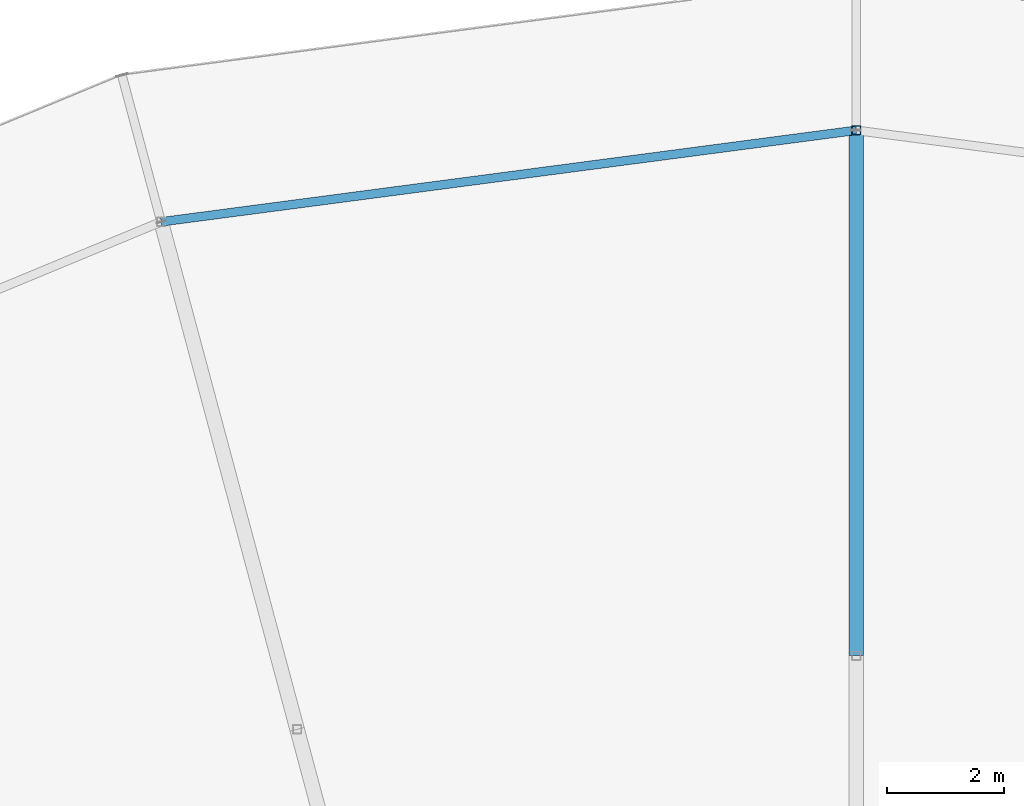
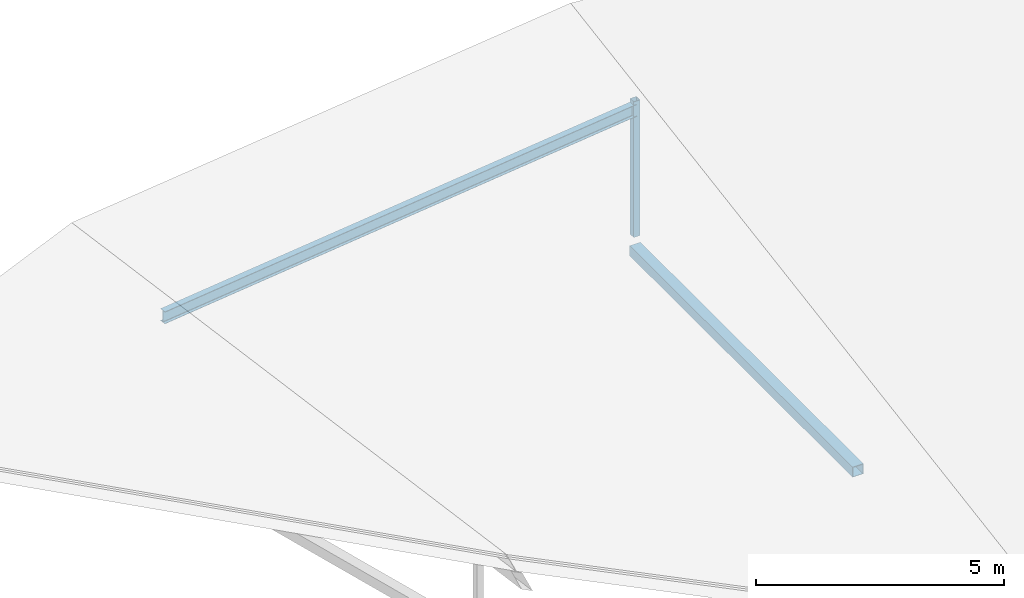
# One storey, part 25 of 70: 2 members, 1 beam.
"""IFC4 building model written with IfcOpenShell, lengths in metres."""

import ifcopenshell
import ifcopenshell.guid

model = None  # the IFC model being written
_history = None  # IfcOwnerHistory: only IFC2X3 demands one
_inside = {}  # id of a spatial element -> (the spatial element, [elements in it])
_under = {}  # id of a project, library or spatial element -> (it, [spatial elements below it])
_declared = {}  # id of a project -> (the project, [libraries it declares])
_typed = {}  # id of a type object -> (the type object, [elements of that type])
_made_of = {}  # id of a material, layer set ... -> (it, [elements and type objects made of it])


def new_model(schema):
    """Start an empty IFC model of exactly this schema.

    Asked for "IFC4X3", IfcOpenShell would pick the latest addendum, in which some entities
    have other attributes; the version numbers below select the first issue.
    IFC2X3 requires an IfcOwnerHistory on every rooted entity: one is made here for all.
    """
    global model, _history
    if schema == "IFC4X3":
        model = ifcopenshell.file(schema_version=(4, 3, 0, 0))
    else:
        model = ifcopenshell.file(schema=schema)
    _inside.clear()
    _under.clear()
    _declared.clear()
    _typed.clear()
    _made_of.clear()
    _history = None
    if model.schema == "IFC2X3":
        org = make("IfcOrganization", Name="unknown")
        user = make(
            "IfcPersonAndOrganization",
            ThePerson=make("IfcPerson", FamilyName="unknown"),
            TheOrganization=org,
        )
        app = make(
            "IfcApplication",
            ApplicationDeveloper=org,
            Version="unknown",
            ApplicationFullName="unknown",
            ApplicationIdentifier="unknown",
        )
        _history = make(
            "IfcOwnerHistory",
            OwningUser=user,
            OwningApplication=app,
            ChangeAction="ADDED",
            CreationDate=0,
        )
    return model


def make(cls, **values):
    """One entity of the class cls with the attributes given. An attribute that is None is left unset."""
    return model.create_entity(
        cls, **{name: value for name, value in values.items() if value is not None}
    )


def rooted(cls, **values):
    """An entity with a GlobalId (a new one), such as an element, a storey or a relation."""
    return make(cls, GlobalId=ifcopenshell.guid.new(), OwnerHistory=_history, **values)


def si_unit(unit_type, name, prefix=None):
    """IfcSIUnit, for example si_unit("LENGTHUNIT", "METRE", prefix="MILLI")."""
    return make("IfcSIUnit", UnitType=unit_type, Prefix=prefix, Name=name)


def assignment(units):
    """IfcUnitAssignment: the units of a project."""
    return None if units is None else make("IfcUnitAssignment", Units=units)


def point(xyz):
    """IfcCartesianPoint."""
    return None if xyz is None else make("IfcCartesianPoint", Coordinates=xyz)


def direction(xyz):
    """IfcDirection."""
    return None if xyz is None else make("IfcDirection", DirectionRatios=xyz)


def frame(location, z_axis=None, x_axis=None):
    """IfcAxis2Placement3D, a coordinate frame: its origin and axes. An axis left out is left unset."""
    return make(
        "IfcAxis2Placement3D",
        Location=point(location),
        Axis=direction(z_axis),
        RefDirection=direction(x_axis),
    )


def frame_2d(location, x_axis=None):
    """IfcAxis2Placement2D, a coordinate frame in the plane: its origin and x axis."""
    return make(
        "IfcAxis2Placement2D", Location=point(location), RefDirection=direction(x_axis)
    )


def origin():
    """The frame at (0, 0, 0) with its axes left unset."""
    return frame((0.0, 0.0, 0.0))


def origin_2d():
    """The frame at (0, 0) in the plane with its x axis left unset."""
    return frame_2d((0.0, 0.0))


def place(relative_to, where):
    """IfcLocalPlacement: puts the frame where relative to a parent placement (None: the world)."""
    return make(
        "IfcLocalPlacement", PlacementRelTo=relative_to, RelativePlacement=where
    )


def context(
    kind, dimensions, precision=None, world=None, true_north=None, identifier=None
):
    """IfcGeometricRepresentationContext, for example the 3D "Model" context."""
    return make(
        "IfcGeometricRepresentationContext",
        ContextIdentifier=identifier,
        ContextType=kind,
        CoordinateSpaceDimension=dimensions,
        Precision=precision,
        WorldCoordinateSystem=world,
        TrueNorth=true_north,
    )


def subcontext(parent, identifier, kind, view, scale=None):
    """IfcGeometricRepresentationSubContext, for example "Body" below "Model"."""
    return make(
        "IfcGeometricRepresentationSubContext",
        ContextIdentifier=identifier,
        ContextType=kind,
        ParentContext=parent,
        TargetScale=scale,
        TargetView=view,
    )


def project(units=None, contexts=None):
    """IfcProject with its units and contexts."""
    return rooted(
        "IfcProject",
        Name="project",
        RepresentationContexts=contexts,
        UnitsInContext=assignment(units),
    )


def spatial(cls, under=None, at=None, **own):
    """A site, building, storey or space (cls), placed at a placement, below another one or the project."""
    s = rooted(cls, ObjectPlacement=at, **own)
    if under is not None:
        _under.setdefault(under.id(), (under, []))[1].append(s)
    return s


def profile(cls, at=None, kind="AREA", **sizes):
    """A parametric profile (cls). Its sizes go by their IFC names, for example OverallWidth=200.0."""
    return make(cls, ProfileType=kind, Position=at, **sizes)


def hollow_rectangle(**sizes):
    """IfcRectangleHollowProfileDef."""
    return profile("IfcRectangleHollowProfileDef", **sizes)


def i_section(**sizes):
    """IfcIShapeProfileDef."""
    return profile("IfcIShapeProfileDef", **sizes)


def extrude(swept, where, along, depth):
    """IfcExtrudedAreaSolid: the profile swept, set in the frame where, extruded along a direction by depth."""
    return make(
        "IfcExtrudedAreaSolid",
        SweptArea=swept,
        Position=where,
        ExtrudedDirection=direction(along),
        Depth=depth,
    )


def shape(context_of_items, identifier, shape_type, items):
    """IfcShapeRepresentation: the items that make up one representation, for example the "Body"."""
    return make(
        "IfcShapeRepresentation",
        ContextOfItems=context_of_items,
        RepresentationIdentifier=identifier,
        RepresentationType=shape_type,
        Items=items,
    )


def material(Name=None, Category=None):
    """IfcMaterial."""
    return make("IfcMaterial", Name=Name, Category=Category)


def material_profile(
    of_material, cross_section, Name=None, Category=None, Priority=None
):
    """IfcMaterialProfile: a cross section and its material."""
    return make(
        "IfcMaterialProfile",
        Name=Name,
        Material=of_material,
        Profile=cross_section,
        Priority=Priority,
        Category=Category,
    )


def profile_set(profiles, Name=None, composite=None):
    """IfcMaterialProfileSet."""
    return make(
        "IfcMaterialProfileSet",
        Name=Name,
        MaterialProfiles=profiles,
        CompositeProfile=composite,
    )


def made_of(thing, what):
    """Note that an element or type object is made of a material, layer set ...; save() writes the relation."""
    if what is not None:
        _made_of.setdefault(what.id(), (what, []))[1].append(thing)
    return thing


def type_object(cls, material=None, **own):
    """A type object (cls), such as IfcWallType, which elements share."""
    return made_of(rooted(cls, **own), material)


def element(
    cls,
    number,
    at=None,
    inside=None,
    cuts=None,
    type_object=None,
    material=None,
    context=None,
    identifier="Body",
    shape_type=None,
    held_by="IfcProductDefinitionShape",
    body=None,
    shapes=None,
    **own,
):
    """One element of the class cls, such as IfcWall. Its Tag is "e" and its number.

    at: its placement. inside: the storey or other place that contains it. cuts: it is an
    opening in that element (IfcRelVoidsElement). A single representation is given by context,
    identifier, shape_type and body (its items); several are given by shapes. held_by: the class
    of the entity that holds the representations. save() writes the other relations.
    """
    e = rooted(cls, Tag="e%d" % number, ObjectPlacement=at, **own)
    if body is not None:
        shapes = [shape(context, identifier, shape_type, body)]
    if shapes is not None:
        e.Representation = make(held_by, Representations=shapes)
    if inside is not None:
        _inside.setdefault(inside.id(), (inside, []))[1].append(e)
    if cuts is not None:
        rooted(
            "IfcRelVoidsElement", RelatingBuildingElement=cuts, RelatedOpeningElement=e
        )
    if type_object is not None:
        _typed.setdefault(type_object.id(), (type_object, []))[1].append(e)
    return made_of(e, material)


def aggregate(whole, parts):
    """IfcRelAggregates: a whole, such as a stair, and the parts it consists of."""
    return rooted("IfcRelAggregates", RelatingObject=whole, RelatedObjects=parts)


def save(model, path):
    """Write the relations noted so far, then the file.

    IfcRelAggregates (storeys below a building ...), IfcRelContainedInSpatialStructure (elements
    in a storey), IfcRelDefinesByType, IfcRelAssociatesMaterial and IfcRelDeclares: one each for
    every whole, place, type object, material and project.
    """
    for whole, parts in _under.values():
        aggregate(whole, parts)
    for where, things in _inside.values():
        rooted(
            "IfcRelContainedInSpatialStructure",
            RelatedElements=things,
            RelatingStructure=where,
        )
    for kind, things in _typed.values():
        rooted("IfcRelDefinesByType", RelatedObjects=things, RelatingType=kind)
    for what, things in _made_of.values():
        rooted("IfcRelAssociatesMaterial", RelatedObjects=things, RelatingMaterial=what)
    for by, libraries in _declared.values():
        rooted("IfcRelDeclares", RelatingContext=by, RelatedDefinitions=libraries)
    model.write(path)


model = new_model("IFC4")

# Units and contexts
model_context = context("Model", 3, precision=1e-05, world=origin(), true_north=direction((0.0, 1.0)))
body_context = subcontext(model_context, "Body", "Model", "MODEL_VIEW")
ifc_project = project(units=[si_unit("LENGTHUNIT", "METRE"), si_unit("AREAUNIT", "SQUARE_METRE"), si_unit("VOLUMEUNIT", "CUBIC_METRE"), si_unit("PLANEANGLEUNIT", "RADIAN"), si_unit("MASSUNIT", "GRAM", prefix="KILO")], contexts=[model_context])

# Site, building, storey
site_placement = place(None, origin())
site = spatial("IfcSite", under=ifc_project, at=site_placement, CompositionType="ELEMENT")
building_placement = place(site_placement, origin())
building = spatial("IfcBuilding", under=site, at=building_placement, Name="Vondelvale Polytechnic", CompositionType="ELEMENT")
storey_placement = place(building_placement, frame((0.0, 0.0, 22.199951171875)))
storey = spatial("IfcBuildingStorey", under=building, at=storey_placement, Name="L05", CompositionType="ELEMENT", Elevation=22.199951171875)

# Beam
ifc_material_1 = material(Name="Steel 300PLUS (fy = 300 MPa)", Category="steel")
ifc_material_profile_1 = material_profile(ifc_material_1, i_section(OverallWidth=0.14892578125, OverallDepth=0.298095703125, WebThickness=0.005615234375, FlangeThickness=0.008056640625, FilletRadius=0.011474609375, at=origin_2d()), Name="310UB32.0")
ifc_profile_set_1 = profile_set([ifc_material_profile_1], Name="Steel 300PLUS (fy = 300 MPa)")
beam_type = type_object("IfcBeamType", Name="BM-UB310L", PredefinedType="BEAM", material=ifc_profile_set_1)
beam_placement = place(storey_placement, frame((102.0, 118.0, 3.11083984375), z_axis=(-0.991445297315, -0.130522880875, 0.0), x_axis=(0.130522880875, -0.991445297315, 0.0)))
element("IfcBeam", 1, at=beam_placement, inside=storey, type_object=beam_type, Name="L05 RE B-25", PredefinedType="BEAM", context=body_context, shape_type="SweptSolid", body=[
    extrude(i_section(OverallWidth=0.14892578125, OverallDepth=0.298095703125, WebThickness=0.005615234375, FlangeThickness=0.008056640625, FilletRadius=0.011474609375, at=origin_2d()), origin(), (0.0, 0.0, 1.0), 12.008544921875),
])

# Members
ifc_material_2 = material(Name="Steel C350L0 (fy = 350 MPa)", Category="steel")
ifc_material_profile_2 = material_profile(ifc_material_2, hollow_rectangle(XDim=0.25, YDim=0.25, WallThickness=0.009033203125, at=origin_2d()), Name="250x250x9.0SHS")
ifc_profile_set_2 = profile_set([ifc_material_profile_2], Name="Steel C350L0 (fy = 350 MPa)")
member_type_1 = type_object("IfcMemberType", Name="ROOF TRUSS CHORD 250SHS", PredefinedType="CHORD", material=ifc_profile_set_2)
member_1_placement = place(storey_placement, frame((102.0, 109.0, -0.349853515625), z_axis=(0.0, 1.0, 0.0), x_axis=(-1.0, 0.0, 0.0)))
element("IfcMember", 2, at=member_1_placement, inside=storey, type_object=member_type_1, Name="Ring workshop truss chord 06B", PredefinedType="CHORD", context=body_context, shape_type="SweptSolid", body=[
    extrude(hollow_rectangle(XDim=0.25, YDim=0.25, WallThickness=0.009033203125, at=origin_2d()), origin(), (0.0, 0.0, 1.0), 9.0),
])
ifc_material_profile_3 = material_profile(ifc_material_2, hollow_rectangle(XDim=0.14990234375, YDim=0.14990234375, WallThickness=0.006103515625, at=origin_2d()), Name="150x150x6.0SHS")
ifc_profile_set_3 = profile_set([ifc_material_profile_3], Name="Steel C350L0 (fy = 350 MPa)")
member_type_2 = type_object("IfcMemberType", Name="ROOF TRUSS POST 150SHS", PredefinedType="POST", material=ifc_profile_set_3)
member_2_placement = place(storey_placement, frame((102.0, 118.0, 0.0), z_axis=(0.0, 0.0, 1.0), x_axis=(1.0, 0.0, 0.0)))
element("IfcMember", 3, at=member_2_placement, inside=storey, type_object=member_type_2, Name="Ring outer roof post 06", PredefinedType="POST", context=body_context, shape_type="SweptSolid", body=[
    extrude(hollow_rectangle(XDim=0.14990234375, YDim=0.14990234375, WallThickness=0.006103515625, at=origin_2d()), origin(), (0.0, 0.0, 1.0), 3.33984375),
])

save(model, "model.ifc")
